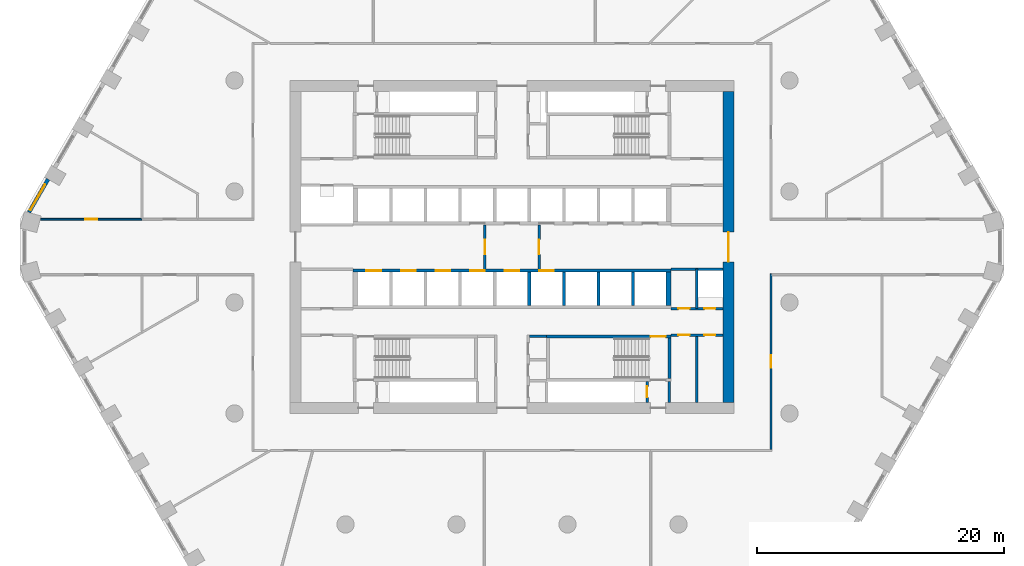
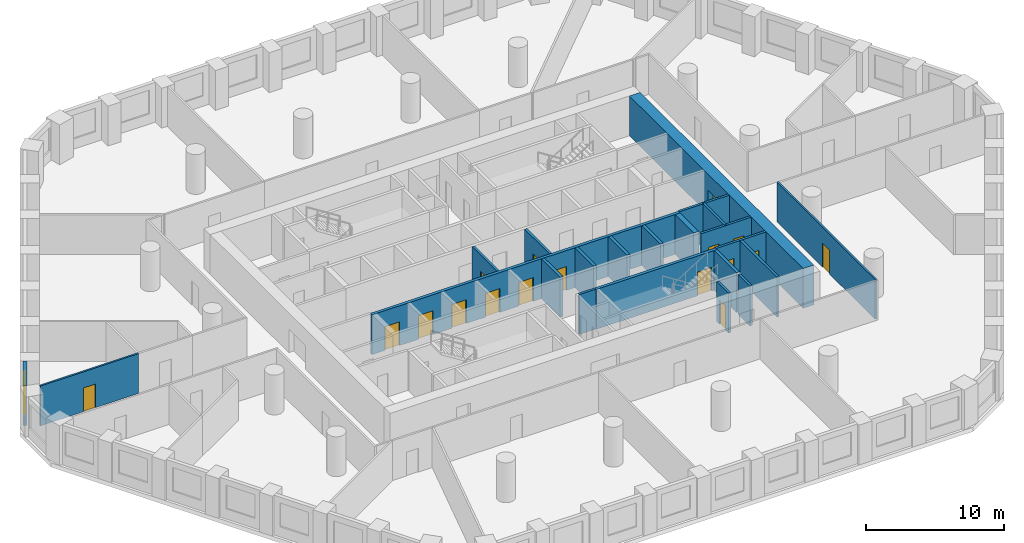
# One storey, part 4 of 10: 22 walls, 17 doors, 1 window, 18 openings.
"""IFC4 building model written with IfcOpenShell, lengths in metres."""

from ifc_helpers import new_model, si_unit, direction, frame, frame_2d, origin, place, context, subcontext, project, spatial, polyline, rectangle, outline, extrude, material, layer, layer_set, type_object, element, fill, save


model = new_model("IFC4")

# Units and contexts
model_context = context("Model", 3, precision=1e-05, world=origin(), true_north=direction((0.0, 1.0)))
body_context = subcontext(model_context, "Body", "Model", "MODEL_VIEW")
ifc_project = project(units=[si_unit("LENGTHUNIT", "METRE"), si_unit("AREAUNIT", "SQUARE_METRE"), si_unit("VOLUMEUNIT", "CUBIC_METRE"), si_unit("PLANEANGLEUNIT", "RADIAN"), si_unit("MASSUNIT", "GRAM", prefix="KILO")], contexts=[model_context])

# Site, building, storey
site_placement = place(None, origin())
site = spatial("IfcSite", under=ifc_project, at=site_placement, CompositionType="ELEMENT")
building_placement = place(site_placement, origin())
building = spatial("IfcBuilding", under=site, at=building_placement, Name="Dhurran Vertical Campus", CompositionType="ELEMENT")
storey_placement = place(building_placement, frame((0.0, 0.0, 33.89990234375)))
storey = spatial("IfcBuildingStorey", under=building, at=storey_placement, Name="L07", CompositionType="ELEMENT", Elevation=33.89990234375)

# Wall, opening, window
ifc_material_1 = material(Name="Precast concrete C50/60", Category="concrete")
ifc_layer_1 = layer(ifc_material_1, 0.300048828125)
ifc_layer_set_1 = layer_set([ifc_layer_1], Name="Precast concrete C50/60")
wall_type_1 = type_object("IfcWallType", Name="Precast spandrel wall 300", PredefinedType="SOLIDWALL", material=ifc_layer_set_1)
wall_1_placement = place(storey_placement, frame((-37.619384765625, 5.495361328125, 0.0), z_axis=(0.0, 0.0, 1.0), x_axis=(-0.49997090907, -0.866042198789, 0.0)))
wall_1 = element("IfcWall", 1, at=wall_1_placement, inside=storey, type_object=wall_type_1, Name="EW1 L07.42", PredefinedType="SOLIDWALL", context=body_context, shape_type="SweptSolid", body=[
    extrude(rectangle(XDim=3.090576171875, YDim=0.300048828125, at=frame_2d((1.54541015625, 0.0))), origin(), (0.0, 0.0, 1.0), 3.525146484375),
])
opening_1_placement = place(wall_1_placement, frame((0.49951171875, 0.0, 0.89990234375)))
opening_1 = element("IfcOpeningElement", 2, at=opening_1_placement, cuts=wall_1, Name="Opening WT1", PredefinedType="OPENING", context=body_context, shape_type="SweptSolid", body=[
    extrude(rectangle(XDim=2.39990234375, YDim=2.10009765625, at=frame_2d((1.199951171875, 1.050048828125))), frame((0.0, 0.159912109375, 0.0), z_axis=(0.0, -1.0, 0.0), x_axis=(1.0, 0.0, 0.0)), (0.0, 0.0, 1.0), 0.320068359375),
])
ifc_material_2 = material(Name="Aluminium frame with solar-control glass", Category="aluminium")
window_type = type_object("IfcWindowType", Name="Punched window 2400 x 2100", PartitioningType="SINGLE_PANEL", PredefinedType="WINDOW", material=ifc_material_2)
window_placement = place(opening_1_placement, origin())
window = element("IfcWindow", 3, at=window_placement, inside=storey, type_object=window_type, Name="WT1 L07.42", OverallHeight=2.10009765625, OverallWidth=2.39990234375, PartitioningType="SINGLE_PANEL", PredefinedType="WINDOW", context=body_context, shape_type="SweptSolid", body=[
    extrude(rectangle(XDim=2.39990234375, YDim=2.10009765625, at=frame_2d((1.199951171875, 1.050048828125))), frame((0.0, 0.030029296875, 0.0), z_axis=(0.0, -1.0, 0.0), x_axis=(1.0, 0.0, 0.0)), (0.0, 0.0, 1.0), 0.06005859375),
])
fill(opening_1, window)

# Wall, opening, door
ifc_material_3 = material(Name="Concrete C60/75", Category="concrete")
ifc_layer_2 = layer(ifc_material_3, 0.89990234375)
ifc_layer_set_2 = layer_set([ifc_layer_2], Name="Concrete C60/75")
wall_type_2 = type_object("IfcWallType", Name="co-CORE-WALL-C0-900", PredefinedType="SHEAR", material=ifc_layer_set_2)
wall_2_placement = place(storey_placement, frame((17.550048828125, -12.60009765625, 0.0), z_axis=(0.0, 0.0, 1.0), x_axis=(0.0, 1.0, 0.0)))
wall_2 = element("IfcWall", 4, at=wall_2_placement, inside=storey, type_object=wall_type_2, Name="Core wall E L07", PredefinedType="SHEAR", context=body_context, shape_type="SweptSolid", body=[
    extrude(rectangle(XDim=25.2001953125, YDim=0.89990234375, at=frame_2d((12.60009765625, 0.0))), origin(), (0.0, 0.0, 1.0), 3.525146484375),
])
opening_2_placement = place(wall_2_placement, frame((11.39990234375, 0.0, 0.0)))
opening_2 = element("IfcOpeningElement", 5, at=opening_2_placement, cuts=wall_2, Name="Opening CL2", PredefinedType="OPENING", context=body_context, shape_type="SweptSolid", body=[
    extrude(rectangle(XDim=2.39990234375, YDim=2.10009765625, at=frame_2d((1.199951171875, 1.050048828125))), frame((0.0, 0.4599609375, 0.0), z_axis=(0.0, -1.0, 0.0), x_axis=(1.0, 0.0, 0.0)), (0.0, 0.0, 1.0), 0.919921875),
])
ifc_material_4 = material(Name="Fire-rated glazed door set")
door_type_1 = type_object("IfcDoorType", Name="co-D-LOBBY 2400x2100", OperationType="DOUBLE_DOOR_DOUBLE_SWING", PredefinedType="DOOR", material=ifc_material_4)
door_1_placement = place(opening_2_placement, origin())
door_1 = element("IfcDoor", 6, at=door_1_placement, inside=storey, type_object=door_type_1, Name="Lift lobby door E L07", OperationType="DOUBLE_DOOR_DOUBLE_SWING", OverallHeight=2.10009765625, OverallWidth=2.39990234375, PredefinedType="DOOR", context=body_context, shape_type="SweptSolid", body=[
    extrude(rectangle(XDim=2.39990234375, YDim=2.10009765625, at=frame_2d((1.199951171875, 1.050048828125))), frame((0.0, 0.02490234375, 0.0), z_axis=(0.0, -1.0, 0.0), x_axis=(1.0, 0.0, 0.0)), (0.0, 0.0, 1.0), 0.050048828125),
])
fill(opening_2, door_1)

ifc_material_5 = material(Name="Fire-rated masonry blockwork", Category="masonry")
ifc_layer_3 = layer(ifc_material_5, 0.199951171875)
ifc_layer_set_3 = layer_set([ifc_layer_3], Name="Fire-rated masonry blockwork")
wall_type_3 = type_object("IfcWallType", Name="co-FIRE-PARTITION-200", PredefinedType="PARTITIONING", material=ifc_layer_set_3)
wall_3_placement = place(storey_placement, frame((-2.199951171875, -1.800048828125, 0.0), z_axis=(0.0, 0.0, 1.0), x_axis=(0.0, 1.0, 0.0)))
wall_3 = element("IfcWall", 7, at=wall_3_placement, inside=storey, type_object=wall_type_3, Name="Firefighting lobby wall W L07", PredefinedType="PARTITIONING", context=body_context, shape_type="SweptSolid", body=[
    extrude(rectangle(XDim=3.60009765625, YDim=0.199951171875, at=frame_2d((1.800048828125, 0.0))), origin(), (0.0, 0.0, 1.0), 3.525146484375),
])
opening_3_placement = place(wall_3_placement, frame((1.199951171875, 0.0, 0.0)))
opening_3 = element("IfcOpeningElement", 8, at=opening_3_placement, cuts=wall_3, Name="Opening FL1", PredefinedType="OPENING", context=body_context, shape_type="SweptSolid", body=[
    extrude(rectangle(XDim=1.199951171875, YDim=2.10009765625, at=frame_2d((0.60009765625, 1.050048828125))), frame((0.0, 0.10986328125, 0.0), z_axis=(0.0, -1.0, 0.0), x_axis=(1.0, 0.0, 0.0)), (0.0, 0.0, 1.0), 0.219970703125),
])
ifc_material_6 = material(Name="Fire-rated steel door set", Category="steel")
door_type_2 = type_object("IfcDoorType", Name="co-D-FFLOBBY 1200x2100", OperationType="SINGLE_SWING_LEFT", PredefinedType="DOOR", material=ifc_material_6)
door_2_placement = place(opening_3_placement, origin())
door_2 = element("IfcDoor", 9, at=door_2_placement, inside=storey, type_object=door_type_2, Name="Firefighting lobby door W L07", OperationType="SINGLE_SWING_LEFT", OverallHeight=2.10009765625, OverallWidth=1.199951171875, PredefinedType="DOOR", context=body_context, shape_type="SweptSolid", body=[
    extrude(rectangle(XDim=1.199951171875, YDim=2.10009765625, at=frame_2d((0.60009765625, 1.050048828125))), frame((0.0, 0.02490234375, 0.0), z_axis=(0.0, -1.0, 0.0), x_axis=(1.0, 0.0, 0.0)), (0.0, 0.0, 1.0), 0.050048828125),
])
fill(opening_3, door_2)

wall_4_placement = place(storey_placement, frame((2.199951171875, -1.800048828125, 0.0), z_axis=(0.0, 0.0, 1.0), x_axis=(0.0, 1.0, 0.0)))
wall_4 = element("IfcWall", 10, at=wall_4_placement, inside=storey, type_object=wall_type_3, Name="Firefighting lobby wall E L07", PredefinedType="PARTITIONING", context=body_context, shape_type="SweptSolid", body=[
    extrude(rectangle(XDim=3.60009765625, YDim=0.199951171875, at=frame_2d((1.800048828125, 0.0))), origin(), (0.0, 0.0, 1.0), 3.525146484375),
])
opening_4_placement = place(wall_4_placement, frame((1.199951171875, 0.0, 0.0)))
opening_4 = element("IfcOpeningElement", 11, at=opening_4_placement, cuts=wall_4, Name="Opening FL2", PredefinedType="OPENING", context=body_context, shape_type="SweptSolid", body=[
    extrude(rectangle(XDim=1.199951171875, YDim=2.10009765625, at=frame_2d((0.60009765625, 1.050048828125))), frame((0.0, 0.10986328125, 0.0), z_axis=(0.0, -1.0, 0.0), x_axis=(1.0, 0.0, 0.0)), (0.0, 0.0, 1.0), 0.219970703125),
])
door_3_placement = place(opening_4_placement, origin())
door_3 = element("IfcDoor", 12, at=door_3_placement, inside=storey, type_object=door_type_2, Name="Firefighting lobby door E L07", OperationType="SINGLE_SWING_LEFT", OverallHeight=2.10009765625, OverallWidth=1.199951171875, PredefinedType="DOOR", context=body_context, shape_type="SweptSolid", body=[
    extrude(rectangle(XDim=1.199951171875, YDim=2.10009765625, at=frame_2d((0.60009765625, 1.050048828125))), frame((0.0, 0.02490234375, 0.0), z_axis=(0.0, -1.0, 0.0), x_axis=(1.0, 0.0, 0.0)), (0.0, 0.0, 1.0), 0.050048828125),
])
fill(opening_4, door_3)

# Walls
wall_5_placement = place(storey_placement, frame((1.39990234375, -7.25, 0.0), z_axis=(0.0, 0.0, 1.0), x_axis=(1.0, 0.0, 0.0)))
element("IfcWall", 13, at=wall_5_placement, inside=storey, type_object=wall_type_3, Name="Core partition sl-SE-S L07", PredefinedType="PARTITIONING", context=body_context, shape_type="SweptSolid", body=[
    extrude(rectangle(XDim=1.400146484375, YDim=0.199951171875, at=frame_2d((0.7001953125, 0.0))), origin(), (0.0, 0.0, 1.0), 3.525146484375),
])
wall_6_placement = place(storey_placement, frame((12.75, -12.60009765625, 0.0), z_axis=(0.0, 0.0, 1.0), x_axis=(0.0, 1.0, 0.0)))
element("IfcWall", 14, at=wall_6_placement, inside=storey, type_object=wall_type_3, Name="Core partition pass-ST4-o L07", PredefinedType="PARTITIONING", context=body_context, shape_type="SweptSolid", body=[
    extrude(rectangle(XDim=1.7001953125, YDim=0.199951171875, at=frame_2d((0.85009765625, 0.0))), origin(), (0.0, 0.0, 1.0), 3.525146484375),
])

# Wall, opening, door
wall_7_placement = place(storey_placement, frame((10.949951171875, -12.60009765625, 0.0), z_axis=(0.0, 0.0, 1.0), x_axis=(0.0, 1.0, 0.0)))
wall_7 = element("IfcWall", 15, at=wall_7_placement, inside=storey, type_object=wall_type_3, Name="Core partition pass-ST4-i L07", PredefinedType="PARTITIONING", context=body_context, shape_type="SweptSolid", body=[
    extrude(rectangle(XDim=1.7001953125, YDim=0.199951171875, at=frame_2d((0.85009765625, 0.0))), origin(), (0.0, 0.0, 1.0), 3.525146484375),
])
opening_5_placement = place(wall_7_placement, frame((0.39990234375, 0.0, 0.0)))
opening_5 = element("IfcOpeningElement", 16, at=opening_5_placement, cuts=wall_7, Name="Opening T01-C12", PredefinedType="OPENING", context=body_context, shape_type="SweptSolid", body=[
    extrude(rectangle(XDim=0.89990234375, YDim=2.10009765625, at=frame_2d((0.449951171875, 1.050048828125))), frame((0.0, 0.10986328125, 0.0), z_axis=(0.0, -1.0, 0.0), x_axis=(1.0, 0.0, 0.0)), (0.0, 0.0, 1.0), 0.219970703125),
])
ifc_material_7 = material(Name="Fire-rated timber door set", Category="wood")
door_type_3 = type_object("IfcDoorType", Name="co-D-ROOM 900x2100", OperationType="SINGLE_SWING_LEFT", PredefinedType="DOOR", material=ifc_material_7)
door_4_placement = place(opening_5_placement, origin())
door_4 = element("IfcDoor", 17, at=door_4_placement, inside=storey, type_object=door_type_3, Name="Riser room door L07", OperationType="SINGLE_SWING_LEFT", OverallHeight=2.10009765625, OverallWidth=0.89990234375, PredefinedType="DOOR", context=body_context, shape_type="SweptSolid", body=[
    extrude(rectangle(XDim=0.89990234375, YDim=2.10009765625, at=frame_2d((0.449951171875, 1.050048828125))), frame((0.0, 0.02490234375, 0.0), z_axis=(0.0, -1.0, 0.0), x_axis=(1.0, 0.0, 0.0)), (0.0, 0.0, 1.0), 0.050048828125),
])
fill(opening_5, door_4)

# Wall
wall_8_placement = place(storey_placement, frame((15.0, -12.60009765625, 0.0), z_axis=(0.0, 0.0, 1.0), x_axis=(0.0, 1.0, 0.0)))
element("IfcWall", 18, at=wall_8_placement, inside=storey, type_object=wall_type_3, Name="Core partition en-SE-cut0 L07", PredefinedType="PARTITIONING", context=body_context, shape_type="SweptSolid", body=[
    extrude(rectangle(XDim=5.4501953125, YDim=0.199951171875, at=frame_2d((2.72509765625, 0.0))), origin(), (0.0, 0.0, 1.0), 3.525146484375),
])

# Wall, openings, doors
wall_9_placement = place(storey_placement, frame((12.89990234375, -7.14990234375, 0.0), z_axis=(0.0, 0.0, 1.0), x_axis=(1.0, 0.0, 0.0)))
wall_9 = element("IfcWall", 19, at=wall_9_placement, inside=storey, type_object=wall_type_3, Name="Core partition en-SE-w L07", PredefinedType="PARTITIONING", context=body_context, shape_type="SweptSolid", body=[
    extrude(rectangle(XDim=4.2001953125, YDim=0.199951171875, at=frame_2d((2.10009765625, 0.0))), origin(), (0.0, 0.0, 1.0), 3.525146484375),
])
opening_6_placement = place(wall_9_placement, frame((0.60009765625, 0.0, 0.0)))
opening_6 = element("IfcOpeningElement", 20, at=opening_6_placement, cuts=wall_9, Name="Opening T01-C19", PredefinedType="OPENING", context=body_context, shape_type="SweptSolid", body=[
    extrude(rectangle(XDim=0.89990234375, YDim=2.10009765625, at=frame_2d((0.449951171875, 1.050048828125))), frame((0.0, 0.10986328125, 0.0), z_axis=(0.0, -1.0, 0.0), x_axis=(1.0, 0.0, 0.0)), (0.0, 0.0, 1.0), 0.219970703125),
])
opening_7_placement = place(wall_9_placement, frame((2.699951171875, 0.0, 0.0)))
opening_7 = element("IfcOpeningElement", 21, at=opening_7_placement, cuts=wall_9, Name="Opening T01-C20", PredefinedType="OPENING", context=body_context, shape_type="SweptSolid", body=[
    extrude(rectangle(XDim=0.89990234375, YDim=2.10009765625, at=frame_2d((0.449951171875, 1.050048828125))), frame((0.0, 0.10986328125, 0.0), z_axis=(0.0, -1.0, 0.0), x_axis=(1.0, 0.0, 0.0)), (0.0, 0.0, 1.0), 0.219970703125),
])
door_5_placement = place(opening_6_placement, origin())
door_5 = element("IfcDoor", 22, at=door_5_placement, inside=storey, type_object=door_type_3, Name="Fire equipment store door L07", OperationType="SINGLE_SWING_LEFT", OverallHeight=2.10009765625, OverallWidth=0.89990234375, PredefinedType="DOOR", context=body_context, shape_type="SweptSolid", body=[
    extrude(rectangle(XDim=0.89990234375, YDim=2.10009765625, at=frame_2d((0.449951171875, 1.050048828125))), frame((0.0, 0.02490234375, 0.0), z_axis=(0.0, -1.0, 0.0), x_axis=(1.0, 0.0, 0.0)), (0.0, 0.0, 1.0), 0.050048828125),
])
fill(opening_6, door_5)
door_6_placement = place(opening_7_placement, origin())
door_6 = element("IfcDoor", 23, at=door_6_placement, inside=storey, type_object=door_type_3, Name="Housekeeping store door L07", OperationType="SINGLE_SWING_LEFT", OverallHeight=2.10009765625, OverallWidth=0.89990234375, PredefinedType="DOOR", context=body_context, shape_type="SweptSolid", body=[
    extrude(rectangle(XDim=0.89990234375, YDim=2.10009765625, at=frame_2d((0.449951171875, 1.050048828125))), frame((0.0, 0.02490234375, 0.0), z_axis=(0.0, -1.0, 0.0), x_axis=(1.0, 0.0, 0.0)), (0.0, 0.0, 1.0), 0.050048828125),
])
fill(opening_7, door_6)

# Wall
wall_10_placement = place(storey_placement, frame((15.0, -5.0, 0.0), z_axis=(0.0, 0.0, 1.0), x_axis=(0.0, 1.0, 0.0)))
element("IfcWall", 24, at=wall_10_placement, inside=storey, type_object=wall_type_3, Name="Core partition es-SE-cut0 L07", PredefinedType="PARTITIONING", context=body_context, shape_type="SweptSolid", body=[
    extrude(rectangle(XDim=3.199951171875, YDim=0.199951171875, at=frame_2d((1.60009765625, 0.0))), origin(), (0.0, 0.0, 1.0), 3.525146484375),
])

# Wall, openings, doors
wall_11_placement = place(storey_placement, frame((12.89990234375, -5.0, 0.0), z_axis=(0.0, 0.0, 1.0), x_axis=(1.0, 0.0, 0.0)))
wall_11 = element("IfcWall", 25, at=wall_11_placement, inside=storey, type_object=wall_type_3, Name="Core partition es-SE-w L07", PredefinedType="PARTITIONING", context=body_context, shape_type="SweptSolid", body=[
    extrude(rectangle(XDim=4.2001953125, YDim=0.199951171875, at=frame_2d((2.10009765625, 0.0))), origin(), (0.0, 0.0, 1.0), 3.525146484375),
])
opening_8_placement = place(wall_11_placement, frame((0.60009765625, 0.0, 0.0)))
opening_8 = element("IfcOpeningElement", 26, at=opening_8_placement, cuts=wall_11, Name="Opening T01-C21", PredefinedType="OPENING", context=body_context, shape_type="SweptSolid", body=[
    extrude(rectangle(XDim=0.89990234375, YDim=2.10009765625, at=frame_2d((0.449951171875, 1.050048828125))), frame((0.0, 0.10986328125, 0.0), z_axis=(0.0, -1.0, 0.0), x_axis=(1.0, 0.0, 0.0)), (0.0, 0.0, 1.0), 0.219970703125),
])
opening_9_placement = place(wall_11_placement, frame((2.699951171875, 0.0, 0.0)))
opening_9 = element("IfcOpeningElement", 27, at=opening_9_placement, cuts=wall_11, Name="Opening T01-C22", PredefinedType="OPENING", context=body_context, shape_type="SweptSolid", body=[
    extrude(rectangle(XDim=0.89990234375, YDim=2.10009765625, at=frame_2d((0.449951171875, 1.050048828125))), frame((0.0, 0.10986328125, 0.0), z_axis=(0.0, -1.0, 0.0), x_axis=(1.0, 0.0, 0.0)), (0.0, 0.0, 1.0), 0.219970703125),
])
door_7_placement = place(opening_8_placement, origin())
door_7 = element("IfcDoor", 28, at=door_7_placement, inside=storey, type_object=door_type_3, Name="Waste room door L07", OperationType="SINGLE_SWING_LEFT", OverallHeight=2.10009765625, OverallWidth=0.89990234375, PredefinedType="DOOR", context=body_context, shape_type="SweptSolid", body=[
    extrude(rectangle(XDim=0.89990234375, YDim=2.10009765625, at=frame_2d((0.449951171875, 1.050048828125))), frame((0.0, 0.02490234375, 0.0), z_axis=(0.0, -1.0, 0.0), x_axis=(1.0, 0.0, 0.0)), (0.0, 0.0, 1.0), 0.050048828125),
])
fill(opening_8, door_7)
door_8_placement = place(opening_9_placement, origin())
door_8 = element("IfcDoor", 29, at=door_8_placement, inside=storey, type_object=door_type_3, Name="Electrical riser door L07", OperationType="SINGLE_SWING_LEFT", OverallHeight=2.10009765625, OverallWidth=0.89990234375, PredefinedType="DOOR", context=body_context, shape_type="SweptSolid", body=[
    extrude(rectangle(XDim=0.89990234375, YDim=2.10009765625, at=frame_2d((0.449951171875, 1.050048828125))), frame((0.0, 0.02490234375, 0.0), z_axis=(0.0, -1.0, 0.0), x_axis=(1.0, 0.0, 0.0)), (0.0, 0.0, 1.0), 0.050048828125),
])
fill(opening_9, door_8)

# Wall
wall_12_placement = place(storey_placement, frame((12.89990234375, -1.800048828125, 0.0), z_axis=(0.0, 0.0, 1.0), x_axis=(1.0, 0.0, 0.0)))
element("IfcWall", 30, at=wall_12_placement, inside=storey, type_object=wall_type_3, Name="Core partition es-SE-l L07", PredefinedType="PARTITIONING", context=body_context, shape_type="SweptSolid", body=[
    extrude(rectangle(XDim=4.2001953125, YDim=0.199951171875, at=frame_2d((2.10009765625, 0.0))), origin(), (0.0, 0.0, 1.0), 3.525146484375),
])

# Wall, openings, doors
ifc_material_8 = material(Name="Concrete C50/60", Category="concrete")
ifc_layer_4 = layer(ifc_material_8, 0.25)
ifc_layer_set_4 = layer_set([ifc_layer_4], Name="Concrete C50/60")
wall_type_4 = type_object("IfcWallType", Name="co-SHAFT-FRONT-250", PredefinedType="SHEAR", material=ifc_layer_set_4)
wall_13_placement = place(storey_placement, frame((-12.89990234375, -1.925048828125, 0.0), z_axis=(0.0, 0.0, 1.0), x_axis=(1.0, 0.0, 0.0)))
wall_13 = element("IfcWall", 31, at=wall_13_placement, inside=storey, type_object=wall_type_4, Name="Lift landing wall S L07", PredefinedType="SHEAR", context=body_context, shape_type="SweptSolid", body=[
    extrude(rectangle(XDim=25.7998046875, YDim=0.25, at=frame_2d((12.89990234375, 0.0))), origin(), (0.0, 0.0, 1.0), 3.525146484375),
])
opening_10_placement = place(wall_13_placement, frame((1.10009765625, 0.0, 0.0)))
opening_10 = element("IfcOpeningElement", 32, at=opening_10_placement, cuts=wall_13, Name="Opening LD", PredefinedType="OPENING", context=body_context, shape_type="SweptSolid", body=[
    extrude(rectangle(XDim=1.199951171875, YDim=2.10009765625, at=frame_2d((0.60009765625, 1.050048828125))), frame((0.0, 0.135009765625, 0.0), z_axis=(0.0, -1.0, 0.0), x_axis=(1.0, 0.0, 0.0)), (0.0, 0.0, 1.0), 0.27001953125),
])
opening_11_placement = place(wall_13_placement, frame((3.89990234375, 0.0, 0.0)))
opening_11 = element("IfcOpeningElement", 33, at=opening_11_placement, cuts=wall_13, Name="Opening LD", PredefinedType="OPENING", context=body_context, shape_type="SweptSolid", body=[
    extrude(rectangle(XDim=1.199951171875, YDim=2.10009765625, at=frame_2d((0.60009765625, 1.050048828125))), frame((0.0, 0.135009765625, 0.0), z_axis=(0.0, -1.0, 0.0), x_axis=(1.0, 0.0, 0.0)), (0.0, 0.0, 1.0), 0.27001953125),
])
opening_12_placement = place(wall_13_placement, frame((6.699951171875, 0.0, 0.0)))
opening_12 = element("IfcOpeningElement", 34, at=opening_12_placement, cuts=wall_13, Name="Opening LD", PredefinedType="OPENING", context=body_context, shape_type="SweptSolid", body=[
    extrude(rectangle(XDim=1.199951171875, YDim=2.10009765625, at=frame_2d((0.60009765625, 1.050048828125))), frame((0.0, 0.135009765625, 0.0), z_axis=(0.0, -1.0, 0.0), x_axis=(1.0, 0.0, 0.0)), (0.0, 0.0, 1.0), 0.27001953125),
])
opening_13_placement = place(wall_13_placement, frame((9.5, 0.0, 0.0)))
opening_13 = element("IfcOpeningElement", 35, at=opening_13_placement, cuts=wall_13, Name="Opening LD", PredefinedType="OPENING", context=body_context, shape_type="SweptSolid", body=[
    extrude(rectangle(XDim=1.199951171875, YDim=2.10009765625, at=frame_2d((0.60009765625, 1.050048828125))), frame((0.0, 0.135009765625, 0.0), z_axis=(0.0, -1.0, 0.0), x_axis=(1.0, 0.0, 0.0)), (0.0, 0.0, 1.0), 0.27001953125),
])
opening_14_placement = place(wall_13_placement, frame((12.300048828125, 0.0, 0.0)))
opening_14 = element("IfcOpeningElement", 36, at=opening_14_placement, cuts=wall_13, Name="Opening LD", PredefinedType="OPENING", context=body_context, shape_type="SweptSolid", body=[
    extrude(rectangle(XDim=1.199951171875, YDim=2.10009765625, at=frame_2d((0.60009765625, 1.050048828125))), frame((0.0, 0.135009765625, 0.0), z_axis=(0.0, -1.0, 0.0), x_axis=(1.0, 0.0, 0.0)), (0.0, 0.0, 1.0), 0.27001953125),
])
opening_15_placement = place(wall_13_placement, frame((15.10009765625, 0.0, 0.0)))
opening_15 = element("IfcOpeningElement", 37, at=opening_15_placement, cuts=wall_13, Name="Opening LD", PredefinedType="OPENING", context=body_context, shape_type="SweptSolid", body=[
    extrude(rectangle(XDim=1.199951171875, YDim=2.10009765625, at=frame_2d((0.60009765625, 1.050048828125))), frame((0.0, 0.135009765625, 0.0), z_axis=(0.0, -1.0, 0.0), x_axis=(1.0, 0.0, 0.0)), (0.0, 0.0, 1.0), 0.27001953125),
])
ifc_material_9 = material(Name="Stainless steel landing door", Category="steel")
door_type_4 = type_object("IfcDoorType", Name="co-D-LANDING 1200x2100", OperationType="DOUBLE_DOOR_SLIDING", PredefinedType="DOOR", material=ifc_material_9)
door_9_placement = place(opening_10_placement, origin())
door_9 = element("IfcDoor", 38, at=door_9_placement, inside=storey, type_object=door_type_4, Name="Landing door LR5 L07", OperationType="DOUBLE_DOOR_SLIDING", OverallHeight=2.10009765625, OverallWidth=1.199951171875, PredefinedType="DOOR", context=body_context, shape_type="SweptSolid", body=[
    extrude(rectangle(XDim=1.199951171875, YDim=2.10009765625, at=frame_2d((0.60009765625, 1.050048828125))), frame((0.0, 0.02490234375, 0.0), z_axis=(0.0, -1.0, 0.0), x_axis=(1.0, 0.0, 0.0)), (0.0, 0.0, 1.0), 0.050048828125),
])
fill(opening_10, door_9)
door_10_placement = place(opening_11_placement, origin())
door_10 = element("IfcDoor", 39, at=door_10_placement, inside=storey, type_object=door_type_4, Name="Landing door LR6 L07", OperationType="DOUBLE_DOOR_SLIDING", OverallHeight=2.10009765625, OverallWidth=1.199951171875, PredefinedType="DOOR", context=body_context, shape_type="SweptSolid", body=[
    extrude(rectangle(XDim=1.199951171875, YDim=2.10009765625, at=frame_2d((0.60009765625, 1.050048828125))), frame((0.0, 0.02490234375, 0.0), z_axis=(0.0, -1.0, 0.0), x_axis=(1.0, 0.0, 0.0)), (0.0, 0.0, 1.0), 0.050048828125),
])
fill(opening_11, door_10)
door_11_placement = place(opening_12_placement, origin())
door_11 = element("IfcDoor", 40, at=door_11_placement, inside=storey, type_object=door_type_4, Name="Landing door LR7 L07", OperationType="DOUBLE_DOOR_SLIDING", OverallHeight=2.10009765625, OverallWidth=1.199951171875, PredefinedType="DOOR", context=body_context, shape_type="SweptSolid", body=[
    extrude(rectangle(XDim=1.199951171875, YDim=2.10009765625, at=frame_2d((0.60009765625, 1.050048828125))), frame((0.0, 0.02490234375, 0.0), z_axis=(0.0, -1.0, 0.0), x_axis=(1.0, 0.0, 0.0)), (0.0, 0.0, 1.0), 0.050048828125),
])
fill(opening_12, door_11)
door_12_placement = place(opening_13_placement, origin())
door_12 = element("IfcDoor", 41, at=door_12_placement, inside=storey, type_object=door_type_4, Name="Landing door LR8 L07", OperationType="DOUBLE_DOOR_SLIDING", OverallHeight=2.10009765625, OverallWidth=1.199951171875, PredefinedType="DOOR", context=body_context, shape_type="SweptSolid", body=[
    extrude(rectangle(XDim=1.199951171875, YDim=2.10009765625, at=frame_2d((0.60009765625, 1.050048828125))), frame((0.0, 0.02490234375, 0.0), z_axis=(0.0, -1.0, 0.0), x_axis=(1.0, 0.0, 0.0)), (0.0, 0.0, 1.0), 0.050048828125),
])
fill(opening_13, door_12)
door_13_placement = place(opening_14_placement, origin())
door_13 = element("IfcDoor", 42, at=door_13_placement, inside=storey, type_object=door_type_4, Name="Landing door FF2 L07", OperationType="DOUBLE_DOOR_SLIDING", OverallHeight=2.10009765625, OverallWidth=1.199951171875, PredefinedType="DOOR", context=body_context, shape_type="SweptSolid", body=[
    extrude(rectangle(XDim=1.199951171875, YDim=2.10009765625, at=frame_2d((0.60009765625, 1.050048828125))), frame((0.0, 0.02490234375, 0.0), z_axis=(0.0, -1.0, 0.0), x_axis=(1.0, 0.0, 0.0)), (0.0, 0.0, 1.0), 0.050048828125),
])
fill(opening_14, door_13)
door_14_placement = place(opening_15_placement, origin())
door_14 = element("IfcDoor", 43, at=door_14_placement, inside=storey, type_object=door_type_4, Name="Landing door SV1 L07", OperationType="DOUBLE_DOOR_SLIDING", OverallHeight=2.10009765625, OverallWidth=1.199951171875, PredefinedType="DOOR", context=body_context, shape_type="SweptSolid", body=[
    extrude(rectangle(XDim=1.199951171875, YDim=2.10009765625, at=frame_2d((0.60009765625, 1.050048828125))), frame((0.0, 0.02490234375, 0.0), z_axis=(0.0, -1.0, 0.0), x_axis=(1.0, 0.0, 0.0)), (0.0, 0.0, 1.0), 0.050048828125),
])
fill(opening_15, door_14)

# Walls
ifc_material_10 = material(Name="Concrete C50/60", Category="concrete")
ifc_layer_5 = layer(ifc_material_10, 0.25)
ifc_layer_set_5 = layer_set([ifc_layer_5], Name="Concrete C50/60")
wall_type_5 = type_object("IfcWallType", Name="co-SHAFT-MASS-250", PredefinedType="SHEAR", material=ifc_layer_set_5)
wall_14_placement = place(storey_placement, origin())
element("IfcWall", 44, at=wall_14_placement, inside=storey, type_object=wall_type_5, Name="Lift shaft wall S L07 7", PredefinedType="SHEAR", context=body_context, shape_type="SweptSolid", body=[
    extrude(outline(polyline([(1.27490234375, -4.75), (1.52490234375, -4.75), (1.52490234375, -2.050048828125), (1.27490234375, -2.050048828125), (1.27490234375, -4.75)])), origin(), (0.0, 0.0, 1.0), 3.525146484375),
])
wall_15_placement = place(storey_placement, origin())
element("IfcWall", 45, at=wall_15_placement, inside=storey, type_object=wall_type_5, Name="Lift shaft wall S L07 8", PredefinedType="SHEAR", context=body_context, shape_type="SweptSolid", body=[
    extrude(outline(polyline([(4.074951171875, -4.75), (4.324951171875, -4.75), (4.324951171875, -2.050048828125), (4.074951171875, -2.050048828125), (4.074951171875, -4.75)])), origin(), (0.0, 0.0, 1.0), 3.525146484375),
])
wall_16_placement = place(storey_placement, origin())
element("IfcWall", 46, at=wall_16_placement, inside=storey, type_object=wall_type_5, Name="Lift shaft wall S L07 9", PredefinedType="SHEAR", context=body_context, shape_type="SweptSolid", body=[
    extrude(outline(polyline([(6.875, -4.75), (7.125, -4.75), (7.125, -2.050048828125), (6.875, -2.050048828125), (6.875, -4.75)])), origin(), (0.0, 0.0, 1.0), 3.525146484375),
])
wall_17_placement = place(storey_placement, origin())
element("IfcWall", 47, at=wall_17_placement, inside=storey, type_object=wall_type_5, Name="Lift shaft wall S L07 10", PredefinedType="SHEAR", context=body_context, shape_type="SweptSolid", body=[
    extrude(outline(polyline([(9.675048828125, -4.75), (9.925048828125, -4.75), (9.925048828125, -2.050048828125), (9.675048828125, -2.050048828125), (9.675048828125, -4.75)])), origin(), (0.0, 0.0, 1.0), 3.525146484375),
])
wall_18_placement = place(storey_placement, origin())
element("IfcWall", 48, at=wall_18_placement, inside=storey, type_object=wall_type_5, Name="Lift shaft wall S L07 11", PredefinedType="SHEAR", context=body_context, shape_type="SweptSolid", body=[
    extrude(outline(polyline([(12.47509765625, -4.75), (12.89990234375, -4.75), (12.89990234375, -2.050048828125), (12.47509765625, -2.050048828125), (12.47509765625, -4.75)])), origin(), (0.0, 0.0, 1.0), 3.525146484375),
])

# Wall, opening, door
ifc_material_11 = material(Name="Concrete C40/50", Category="concrete")
ifc_layer_6 = layer(ifc_material_11, 0.25)
ifc_layer_set_6 = layer_set([ifc_layer_6], Name="Concrete C40/50")
wall_type_6 = type_object("IfcWallType", Name="co-STAIR-WALL-250", PredefinedType="SHEAR", material=ifc_layer_set_6)
wall_19_placement = place(storey_placement, frame((2.800048828125, -7.27490234375, 0.0), z_axis=(0.0, 0.0, 1.0), x_axis=(1.0, 0.0, 0.0)))
wall_19 = element("IfcWall", 49, at=wall_19_placement, inside=storey, type_object=wall_type_6, Name="Stair ST4 enclosure wall L07", PredefinedType="SHEAR", context=body_context, shape_type="SweptSolid", body=[
    extrude(rectangle(XDim=10.099853515625, YDim=0.25, at=frame_2d((5.0498046875, 0.0))), origin(), (0.0, 0.0, 1.0), 3.525146484375),
])
opening_16_placement = place(wall_19_placement, frame((8.449951171875, 0.0, 0.0)))
opening_16 = element("IfcOpeningElement", 50, at=opening_16_placement, cuts=wall_19, Name="Opening SD4", PredefinedType="OPENING", context=body_context, shape_type="SweptSolid", body=[
    extrude(rectangle(XDim=1.199951171875, YDim=2.10009765625, at=frame_2d((0.60009765625, 1.050048828125))), frame((0.0, 0.135009765625, 0.0), z_axis=(0.0, -1.0, 0.0), x_axis=(1.0, 0.0, 0.0)), (0.0, 0.0, 1.0), 0.27001953125),
])
ifc_material_12 = material(Name="Fire-rated steel door set", Category="steel")
door_type_5 = type_object("IfcDoorType", Name="co-D-STAIR 1200x2100", OperationType="SINGLE_SWING_LEFT", PredefinedType="DOOR", material=ifc_material_12)
door_15_placement = place(opening_16_placement, origin())
door_15 = element("IfcDoor", 51, at=door_15_placement, inside=storey, type_object=door_type_5, Name="Stair ST4 door L07", OperationType="SINGLE_SWING_LEFT", OverallHeight=2.10009765625, OverallWidth=1.199951171875, PredefinedType="DOOR", context=body_context, shape_type="SweptSolid", body=[
    extrude(rectangle(XDim=1.199951171875, YDim=2.10009765625, at=frame_2d((0.60009765625, 1.050048828125))), frame((0.0, 0.02490234375, 0.0), z_axis=(0.0, -1.0, 0.0), x_axis=(1.0, 0.0, 0.0)), (0.0, 0.0, 1.0), 0.050048828125),
])
fill(opening_16, door_15)

# Wall
wall_20_placement = place(storey_placement, frame((12.77490234375, -10.64990234375, 0.0), z_axis=(0.0, 0.0, 1.0), x_axis=(0.0, 1.0, 0.0)))
element("IfcWall", 52, at=wall_20_placement, inside=storey, type_object=wall_type_6, Name="Stair ST4 enclosure wall L07", PredefinedType="SHEAR", context=body_context, shape_type="SweptSolid", body=[
    extrude(rectangle(XDim=3.25, YDim=0.25, at=frame_2d((1.625, 0.0))), origin(), (0.0, 0.0, 1.0), 3.525146484375),
])

# Wall, opening, door
ifc_material_13 = material(Name="Gypsum board corridor wall on steel studs", Category="steel")
ifc_layer_7 = layer(ifc_material_13, 0.14990234375)
ifc_layer_set_7 = layer_set([ifc_layer_7], Name="Gypsum board corridor wall on steel studs")
wall_type_7 = type_object("IfcWallType", Name="fl-CW-150 corridor wall", PredefinedType="PARTITIONING", material=ifc_layer_set_7)
wall_21_placement = place(storey_placement, frame((-38.23291015625, 2.25, 0.0), z_axis=(0.0, 0.0, 1.0), x_axis=(1.0, 0.0, 0.0)))
wall_21 = element("IfcWall", 53, at=wall_21_placement, inside=storey, type_object=wall_type_7, Name="Partition 07-02", PredefinedType="PARTITIONING", context=body_context, shape_type="SweptSolid", body=[
    extrude(rectangle(XDim=8.23291015625, YDim=0.14990234375, at=frame_2d((4.116455078125, 0.0))), origin(), (0.0, 0.0, 1.0), 3.525146484375),
])
opening_17_placement = place(wall_21_placement, frame((3.616455078125, 0.0, 0.0)))
opening_17 = element("IfcOpeningElement", 54, at=opening_17_placement, cuts=wall_21, Name="Opening T01.02", PredefinedType="OPENING", context=body_context, shape_type="SweptSolid", body=[
    extrude(rectangle(XDim=1.0, YDim=2.10009765625, at=frame_2d((0.5, 1.050048828125))), frame((0.0, 0.0849609375, 0.0), z_axis=(0.0, -1.0, 0.0), x_axis=(1.0, 0.0, 0.0)), (0.0, 0.0, 1.0), 0.169921875),
])
ifc_material_14 = material(Name="Solid-core timber door set, fire-rated", Category="wood")
door_type_6 = type_object("IfcDoorType", Name="fl-D-1000x2100", OperationType="SINGLE_SWING_LEFT", PredefinedType="DOOR", material=ifc_material_14)
door_16_placement = place(opening_17_placement, origin())
door_16 = element("IfcDoor", 55, at=door_16_placement, inside=storey, type_object=door_type_6, Name="Door 07.02", OperationType="SINGLE_SWING_LEFT", OverallHeight=2.10009765625, OverallWidth=1.0, PredefinedType="DOOR", context=body_context, shape_type="SweptSolid", body=[
    extrude(rectangle(XDim=1.0, YDim=2.10009765625, at=frame_2d((0.5, 1.050048828125))), frame((0.0, 0.02490234375, 0.0), z_axis=(0.0, -1.0, 0.0), x_axis=(1.0, 0.0, 0.0)), (0.0, 0.0, 1.0), 0.050048828125),
])
fill(opening_17, door_16)

wall_22_placement = place(storey_placement, frame((21.0, -16.425048828125, 0.0), z_axis=(0.0, 0.0, 1.0), x_axis=(0.0, 1.0, 0.0)))
wall_22 = element("IfcWall", 56, at=wall_22_placement, inside=storey, type_object=wall_type_7, Name="Partition 07-37", PredefinedType="PARTITIONING", context=body_context, shape_type="SweptSolid", body=[
    extrude(rectangle(XDim=14.25, YDim=0.14990234375, at=frame_2d((7.125, 0.0))), origin(), (0.0, 0.0, 1.0), 3.525146484375),
])
opening_18_placement = place(wall_22_placement, frame((6.625, 0.0, 0.0)))
opening_18 = element("IfcOpeningElement", 57, at=opening_18_placement, cuts=wall_22, Name="Opening T01.14", PredefinedType="OPENING", context=body_context, shape_type="SweptSolid", body=[
    extrude(rectangle(XDim=1.0, YDim=2.10009765625, at=frame_2d((0.5, 1.050048828125))), frame((0.0, 0.0849609375, 0.0), z_axis=(0.0, -1.0, 0.0), x_axis=(1.0, 0.0, 0.0)), (0.0, 0.0, 1.0), 0.169921875),
])
door_17_placement = place(opening_18_placement, origin())
door_17 = element("IfcDoor", 58, at=door_17_placement, inside=storey, type_object=door_type_6, Name="Door 07.14", OperationType="SINGLE_SWING_RIGHT", OverallHeight=2.10009765625, OverallWidth=1.0, PredefinedType="DOOR", context=body_context, shape_type="SweptSolid", body=[
    extrude(rectangle(XDim=1.0, YDim=2.10009765625, at=frame_2d((0.5, 1.050048828125))), frame((0.0, 0.02490234375, 0.0), z_axis=(0.0, -1.0, 0.0), x_axis=(1.0, 0.0, 0.0)), (0.0, 0.0, 1.0), 0.050048828125),
])
fill(opening_18, door_17)

save(model, "model.ifc")
